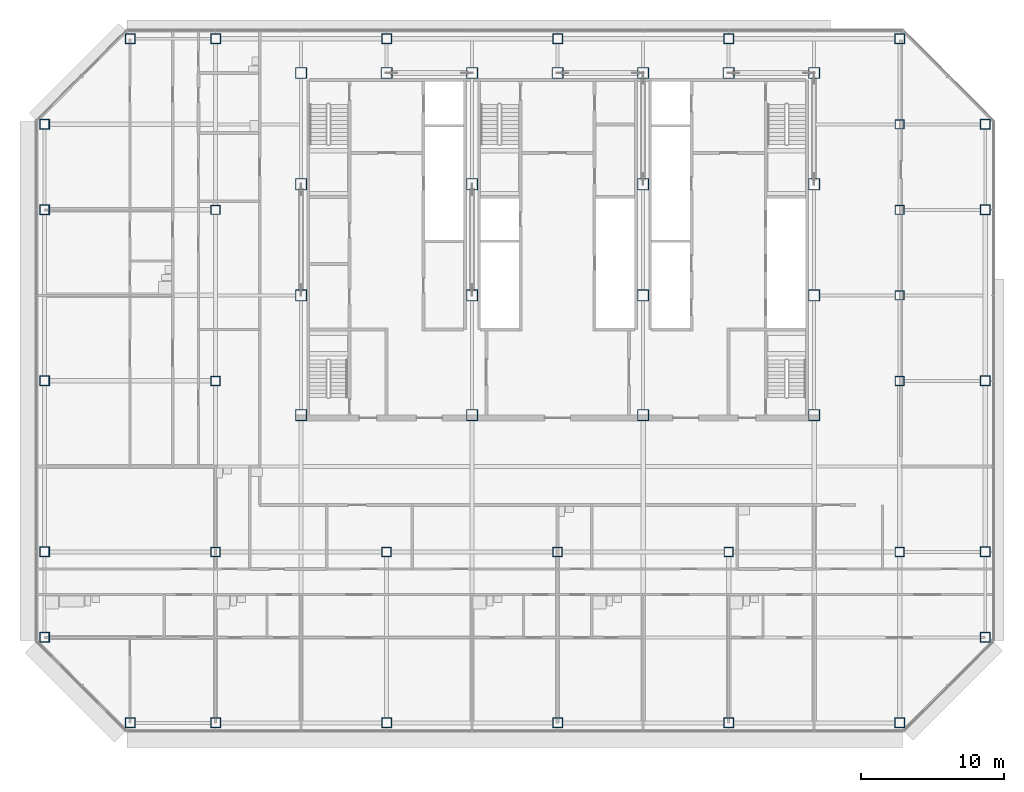
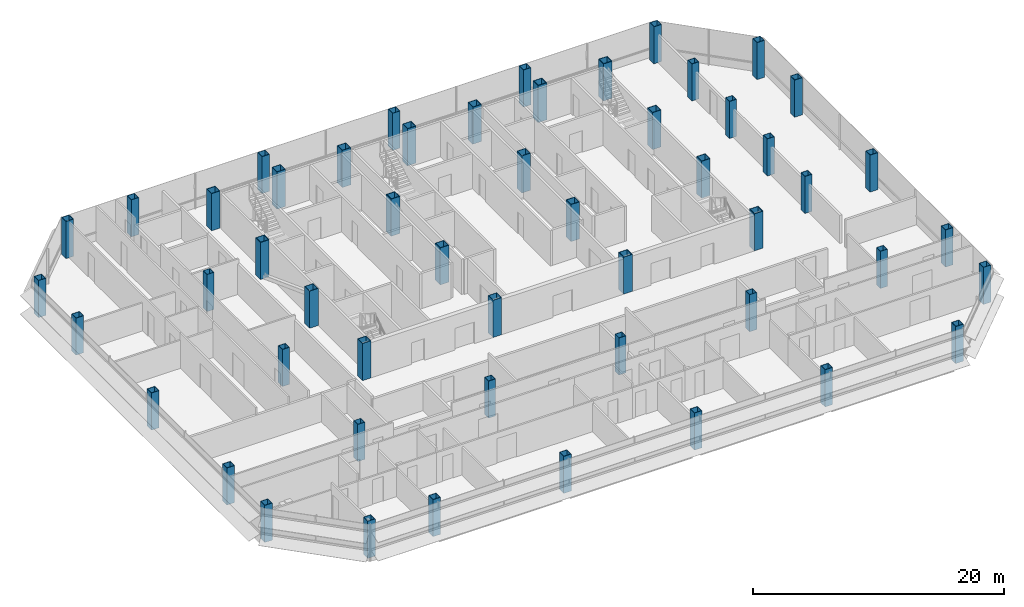
# One storey, part 1 of 27: 52 columns.
"""IFC4 building model written with IfcOpenShell, lengths in metres."""

import ifcopenshell
import ifcopenshell.guid

model = None  # the IFC model being written
_history = None  # IfcOwnerHistory: only IFC2X3 demands one
_inside = {}  # id of a spatial element -> (the spatial element, [elements in it])
_under = {}  # id of a project, library or spatial element -> (it, [spatial elements below it])
_declared = {}  # id of a project -> (the project, [libraries it declares])
_typed = {}  # id of a type object -> (the type object, [elements of that type])
_made_of = {}  # id of a material, layer set ... -> (it, [elements and type objects made of it])


def new_model(schema):
    """Start an empty IFC model of exactly this schema.

    Asked for "IFC4X3", IfcOpenShell would pick the latest addendum, in which some entities
    have other attributes; the version numbers below select the first issue.
    IFC2X3 requires an IfcOwnerHistory on every rooted entity: one is made here for all.
    """
    global model, _history
    if schema == "IFC4X3":
        model = ifcopenshell.file(schema_version=(4, 3, 0, 0))
    else:
        model = ifcopenshell.file(schema=schema)
    _inside.clear()
    _under.clear()
    _declared.clear()
    _typed.clear()
    _made_of.clear()
    _history = None
    if model.schema == "IFC2X3":
        org = make("IfcOrganization", Name="unknown")
        user = make(
            "IfcPersonAndOrganization",
            ThePerson=make("IfcPerson", FamilyName="unknown"),
            TheOrganization=org,
        )
        app = make(
            "IfcApplication",
            ApplicationDeveloper=org,
            Version="unknown",
            ApplicationFullName="unknown",
            ApplicationIdentifier="unknown",
        )
        _history = make(
            "IfcOwnerHistory",
            OwningUser=user,
            OwningApplication=app,
            ChangeAction="ADDED",
            CreationDate=0,
        )
    return model


def make(cls, **values):
    """One entity of the class cls with the attributes given. An attribute that is None is left unset."""
    return model.create_entity(
        cls, **{name: value for name, value in values.items() if value is not None}
    )


def rooted(cls, **values):
    """An entity with a GlobalId (a new one), such as an element, a storey or a relation."""
    return make(cls, GlobalId=ifcopenshell.guid.new(), OwnerHistory=_history, **values)


def si_unit(unit_type, name, prefix=None):
    """IfcSIUnit, for example si_unit("LENGTHUNIT", "METRE", prefix="MILLI")."""
    return make("IfcSIUnit", UnitType=unit_type, Prefix=prefix, Name=name)


def assignment(units):
    """IfcUnitAssignment: the units of a project."""
    return None if units is None else make("IfcUnitAssignment", Units=units)


def point(xyz):
    """IfcCartesianPoint."""
    return None if xyz is None else make("IfcCartesianPoint", Coordinates=xyz)


def direction(xyz):
    """IfcDirection."""
    return None if xyz is None else make("IfcDirection", DirectionRatios=xyz)


def frame(location, z_axis=None, x_axis=None):
    """IfcAxis2Placement3D, a coordinate frame: its origin and axes. An axis left out is left unset."""
    return make(
        "IfcAxis2Placement3D",
        Location=point(location),
        Axis=direction(z_axis),
        RefDirection=direction(x_axis),
    )


def frame_2d(location, x_axis=None):
    """IfcAxis2Placement2D, a coordinate frame in the plane: its origin and x axis."""
    return make(
        "IfcAxis2Placement2D", Location=point(location), RefDirection=direction(x_axis)
    )


def origin():
    """The frame at (0, 0, 0) with its axes left unset."""
    return frame((0.0, 0.0, 0.0))


def origin_2d():
    """The frame at (0, 0) in the plane with its x axis left unset."""
    return frame_2d((0.0, 0.0))


def place(relative_to, where):
    """IfcLocalPlacement: puts the frame where relative to a parent placement (None: the world)."""
    return make(
        "IfcLocalPlacement", PlacementRelTo=relative_to, RelativePlacement=where
    )


def context(
    kind, dimensions, precision=None, world=None, true_north=None, identifier=None
):
    """IfcGeometricRepresentationContext, for example the 3D "Model" context."""
    return make(
        "IfcGeometricRepresentationContext",
        ContextIdentifier=identifier,
        ContextType=kind,
        CoordinateSpaceDimension=dimensions,
        Precision=precision,
        WorldCoordinateSystem=world,
        TrueNorth=true_north,
    )


def subcontext(parent, identifier, kind, view, scale=None):
    """IfcGeometricRepresentationSubContext, for example "Body" below "Model"."""
    return make(
        "IfcGeometricRepresentationSubContext",
        ContextIdentifier=identifier,
        ContextType=kind,
        ParentContext=parent,
        TargetScale=scale,
        TargetView=view,
    )


def project(units=None, contexts=None):
    """IfcProject with its units and contexts."""
    return rooted(
        "IfcProject",
        Name="project",
        RepresentationContexts=contexts,
        UnitsInContext=assignment(units),
    )


def spatial(cls, under=None, at=None, **own):
    """A site, building, storey or space (cls), placed at a placement, below another one or the project."""
    s = rooted(cls, ObjectPlacement=at, **own)
    if under is not None:
        _under.setdefault(under.id(), (under, []))[1].append(s)
    return s


def profile(cls, at=None, kind="AREA", **sizes):
    """A parametric profile (cls). Its sizes go by their IFC names, for example OverallWidth=200.0."""
    return make(cls, ProfileType=kind, Position=at, **sizes)


def hollow_rectangle(**sizes):
    """IfcRectangleHollowProfileDef."""
    return profile("IfcRectangleHollowProfileDef", **sizes)


def extrude(swept, where, along, depth):
    """IfcExtrudedAreaSolid: the profile swept, set in the frame where, extruded along a direction by depth."""
    return make(
        "IfcExtrudedAreaSolid",
        SweptArea=swept,
        Position=where,
        ExtrudedDirection=direction(along),
        Depth=depth,
    )


def shape(context_of_items, identifier, shape_type, items):
    """IfcShapeRepresentation: the items that make up one representation, for example the "Body"."""
    return make(
        "IfcShapeRepresentation",
        ContextOfItems=context_of_items,
        RepresentationIdentifier=identifier,
        RepresentationType=shape_type,
        Items=items,
    )


def material(Name=None, Category=None):
    """IfcMaterial."""
    return make("IfcMaterial", Name=Name, Category=Category)


def material_profile(
    of_material, cross_section, Name=None, Category=None, Priority=None
):
    """IfcMaterialProfile: a cross section and its material."""
    return make(
        "IfcMaterialProfile",
        Name=Name,
        Material=of_material,
        Profile=cross_section,
        Priority=Priority,
        Category=Category,
    )


def profile_set(profiles, Name=None, composite=None):
    """IfcMaterialProfileSet."""
    return make(
        "IfcMaterialProfileSet",
        Name=Name,
        MaterialProfiles=profiles,
        CompositeProfile=composite,
    )


def made_of(thing, what):
    """Note that an element or type object is made of a material, layer set ...; save() writes the relation."""
    if what is not None:
        _made_of.setdefault(what.id(), (what, []))[1].append(thing)
    return thing


def type_object(cls, material=None, **own):
    """A type object (cls), such as IfcWallType, which elements share."""
    return made_of(rooted(cls, **own), material)


def element(
    cls,
    number,
    at=None,
    inside=None,
    cuts=None,
    type_object=None,
    material=None,
    context=None,
    identifier="Body",
    shape_type=None,
    held_by="IfcProductDefinitionShape",
    body=None,
    shapes=None,
    **own,
):
    """One element of the class cls, such as IfcWall. Its Tag is "e" and its number.

    at: its placement. inside: the storey or other place that contains it. cuts: it is an
    opening in that element (IfcRelVoidsElement). A single representation is given by context,
    identifier, shape_type and body (its items); several are given by shapes. held_by: the class
    of the entity that holds the representations. save() writes the other relations.
    """
    e = rooted(cls, Tag="e%d" % number, ObjectPlacement=at, **own)
    if body is not None:
        shapes = [shape(context, identifier, shape_type, body)]
    if shapes is not None:
        e.Representation = make(held_by, Representations=shapes)
    if inside is not None:
        _inside.setdefault(inside.id(), (inside, []))[1].append(e)
    if cuts is not None:
        rooted(
            "IfcRelVoidsElement", RelatingBuildingElement=cuts, RelatedOpeningElement=e
        )
    if type_object is not None:
        _typed.setdefault(type_object.id(), (type_object, []))[1].append(e)
    return made_of(e, material)


def aggregate(whole, parts):
    """IfcRelAggregates: a whole, such as a stair, and the parts it consists of."""
    return rooted("IfcRelAggregates", RelatingObject=whole, RelatedObjects=parts)


def save(model, path):
    """Write the relations noted so far, then the file.

    IfcRelAggregates (storeys below a building ...), IfcRelContainedInSpatialStructure (elements
    in a storey), IfcRelDefinesByType, IfcRelAssociatesMaterial and IfcRelDeclares: one each for
    every whole, place, type object, material and project.
    """
    for whole, parts in _under.values():
        aggregate(whole, parts)
    for where, things in _inside.values():
        rooted(
            "IfcRelContainedInSpatialStructure",
            RelatedElements=things,
            RelatingStructure=where,
        )
    for kind, things in _typed.values():
        rooted("IfcRelDefinesByType", RelatedObjects=things, RelatingType=kind)
    for what, things in _made_of.values():
        rooted("IfcRelAssociatesMaterial", RelatedObjects=things, RelatingMaterial=what)
    for by, libraries in _declared.values():
        rooted("IfcRelDeclares", RelatingContext=by, RelatedDefinitions=libraries)
    model.write(path)


model = new_model("IFC4")

# Units and contexts
model_context = context("Model", 3, precision=1e-05, world=origin(), true_north=direction((0.0, 1.0)))
body_context = subcontext(model_context, "Body", "Model", "MODEL_VIEW")
ifc_project = project(units=[si_unit("LENGTHUNIT", "METRE"), si_unit("AREAUNIT", "SQUARE_METRE"), si_unit("VOLUMEUNIT", "CUBIC_METRE"), si_unit("PLANEANGLEUNIT", "RADIAN"), si_unit("MASSUNIT", "GRAM", prefix="KILO")], contexts=[model_context])

# Site, building, storey
site_placement = place(None, origin())
site = spatial("IfcSite", under=ifc_project, at=site_placement, CompositionType="ELEMENT")
building_placement = place(site_placement, origin())
building = spatial("IfcBuilding", under=site, at=building_placement, Name="Sorahane Residences", CompositionType="ELEMENT")
storey_placement = place(building_placement, frame((0.0, 0.0, 195.60009765625)))
storey = spatial("IfcBuildingStorey", under=building, at=storey_placement, Name="L45", CompositionType="ELEMENT", Elevation=195.60009765625)

# Columns
ifc_material_1 = material(Name="Steel Q355B", Category="steel")
ifc_material_profile_1 = material_profile(ifc_material_1, hollow_rectangle(XDim=0.64990234375, YDim=0.64990234375, WallThickness=0.031982421875, at=origin_2d()), Name="BOX 650x650x32")
ifc_profile_set_1 = profile_set([ifc_material_profile_1], Name="Steel Q355B")
column_type_1 = type_object("IfcColumnType", Name="Steel box column BOX 650x650x32 Q355B", PredefinedType="COLUMN", material=ifc_profile_set_1)
for number, where, z_axis, x_axis, name in (
    (1, (0.0, 12.0, 0.0), (0.0, 0.0, 1.0), (1.0, 0.0, 0.0), "Column L45 0/12"),
    (2, (0.0, 24.0, 0.0), (0.0, 0.0, 1.0), (1.0, 0.0, 0.0), "Column L45 0/24"),
    (3, (0.0, 36.0, 0.0), (0.0, 0.0, 1.0), (1.0, 0.0, 0.0), "Column L45 0/36"),
    (4, (12.0, 12.0, 0.0), (0.0, 0.0, 1.0), (1.0, 0.0, 0.0), "Column L45 12/12"),
    (5, (24.0, 12.0, 0.0), (0.0, 0.0, 1.0), (1.0, 0.0, 0.0), "Column L45 24/12"),
    (6, (36.0, 12.0, 0.0), (0.0, 0.0, 1.0), (1.0, 0.0, 0.0), "Column L45 36/12"),
    (7, (48.0, 12.0, 0.0), (0.0, 0.0, 1.0), (1.0, 0.0, 0.0), "Column L45 48/12"),
    (8, (48.0, 24.0, 0.0), (0.0, 0.0, 1.0), (1.0, 0.0, 0.0), "Column L45 48/24"),
    (9, (48.0, 30.0, 0.0), (0.0, 0.0, 1.0), (1.0, 0.0, 0.0), "Column L45 48/30"),
    (10, (48.0, 36.0, 0.0), (0.0, 0.0, 1.0), (1.0, 0.0, 0.0), "Column L45 48/36"),
    (11, (48.0, 42.0, 0.0), (0.0, 0.0, 1.0), (1.0, 0.0, 0.0), "Column L45 48/42"),
):
    element("IfcColumn", number, at=place(storey_placement, frame(where, z_axis=z_axis, x_axis=x_axis)), inside=storey, type_object=column_type_1, Name=name, PredefinedType="COLUMN", context=body_context, shape_type="SweptSolid", body=[
        extrude(hollow_rectangle(XDim=0.64990234375, YDim=0.64990234375, WallThickness=0.031982421875, at=origin_2d()), origin(), (0.0, 0.0, 1.0), 3.599853515625),
    ])
ifc_material_2 = material(Name="Steel Q355B", Category="steel")
ifc_material_profile_2 = material_profile(ifc_material_2, hollow_rectangle(XDim=0.699951171875, YDim=0.699951171875, WallThickness=0.035888671875, at=origin_2d()), Name="BOX 700x700x36")
ifc_profile_set_2 = profile_set([ifc_material_profile_2], Name="Steel Q355B")
column_type_2 = type_object("IfcColumnType", Name="Steel box column BOX 700x700x36 Q355B", PredefinedType="COLUMN", material=ifc_profile_set_2)
for number, where, z_axis, x_axis, name in (
    (12, (-12.0, 6.0, 0.0), (0.0, 0.0, 1.0), (1.0, 0.0, 0.0), "Column L45 m12/6"),
    (13, (-12.0, 12.0, 0.0), (0.0, 0.0, 1.0), (1.0, 0.0, 0.0), "Column L45 m12/12"),
    (14, (-12.0, 24.0, 0.0), (0.0, 0.0, 1.0), (1.0, 0.0, 0.0), "Column L45 m12/24"),
    (15, (-12.0, 36.0, 0.0), (0.0, 0.0, 1.0), (1.0, 0.0, 0.0), "Column L45 m12/36"),
    (16, (-12.0, 42.0, 0.0), (0.0, 0.0, 1.0), (1.0, 0.0, 0.0), "Column L45 m12/42"),
    (17, (-6.0, 0.0, 0.0), (0.0, 0.0, 1.0), (1.0, 0.0, 0.0), "Column L45 m6/0"),
    (18, (-6.0, 48.0, 0.0), (0.0, 0.0, 1.0), (1.0, 0.0, 0.0), "Column L45 m6/48"),
    (19, (0.0, 0.0, 0.0), (0.0, 0.0, 1.0), (1.0, 0.0, 0.0), "Column L45 0/0"),
    (20, (0.0, 48.0, 0.0), (0.0, 0.0, 1.0), (1.0, 0.0, 0.0), "Column L45 0/48"),
    (21, (12.0, 0.0, 0.0), (0.0, 0.0, 1.0), (1.0, 0.0, 0.0), "Column L45 12/0"),
    (22, (12.0, 48.0, 0.0), (0.0, 0.0, 1.0), (1.0, 0.0, 0.0), "Column L45 12/48"),
    (23, (24.0, 0.0, 0.0), (0.0, 0.0, 1.0), (1.0, 0.0, 0.0), "Column L45 24/0"),
    (24, (24.0, 48.0, 0.0), (0.0, 0.0, 1.0), (1.0, 0.0, 0.0), "Column L45 24/48"),
    (25, (36.0, 0.0, 0.0), (0.0, 0.0, 1.0), (1.0, 0.0, 0.0), "Column L45 36/0"),
    (26, (36.0, 48.0, 0.0), (0.0, 0.0, 1.0), (1.0, 0.0, 0.0), "Column L45 36/48"),
    (27, (48.0, 0.0, 0.0), (0.0, 0.0, 1.0), (1.0, 0.0, 0.0), "Column L45 48/0"),
    (28, (48.0, 48.0, 0.0), (0.0, 0.0, 1.0), (1.0, 0.0, 0.0), "Column L45 48/48"),
    (29, (54.0, 6.0, 0.0), (0.0, 0.0, 1.0), (1.0, 0.0, 0.0), "Column L45 54/6"),
    (30, (54.0, 12.0, 0.0), (0.0, 0.0, 1.0), (1.0, 0.0, 0.0), "Column L45 54/12"),
    (31, (54.0, 24.0, 0.0), (0.0, 0.0, 1.0), (1.0, 0.0, 0.0), "Column L45 54/24"),
    (32, (54.0, 36.0, 0.0), (0.0, 0.0, 1.0), (1.0, 0.0, 0.0), "Column L45 54/36"),
    (33, (54.0, 42.0, 0.0), (0.0, 0.0, 1.0), (1.0, 0.0, 0.0), "Column L45 54/42"),
):
    element("IfcColumn", number, at=place(storey_placement, frame(where, z_axis=z_axis, x_axis=x_axis)), inside=storey, type_object=column_type_2, Name=name, PredefinedType="COLUMN", context=body_context, shape_type="SweptSolid", body=[
        extrude(hollow_rectangle(XDim=0.699951171875, YDim=0.699951171875, WallThickness=0.035888671875, at=origin_2d()), origin(), (0.0, 0.0, 1.0), 3.599853515625),
    ])
ifc_material_3 = material(Name="Steel Q420GJ", Category="steel")
ifc_material_profile_3 = material_profile(ifc_material_3, hollow_rectangle(XDim=0.800048828125, YDim=0.800048828125, WallThickness=0.044921875, at=origin_2d()), Name="BOX 800x800x45")
ifc_profile_set_3 = profile_set([ifc_material_profile_3], Name="Steel Q420GJ")
column_type_3 = type_object("IfcColumnType", Name="Steel box column BOX 800x800x45 Q420GJ", PredefinedType="COLUMN", material=ifc_profile_set_3)
for number, where, z_axis, x_axis, name in (
    (34, (6.0, 21.60009765625, 0.0), (0.0, 0.0, 1.0), (1.0, 0.0, 0.0), "Column L45 6/21.6"),
    (35, (6.0, 30.0, 0.0), (0.0, 0.0, 1.0), (1.0, 0.0, 0.0), "Column L45 6/30"),
    (36, (6.0, 37.800048828125, 0.0), (0.0, 0.0, 1.0), (1.0, 0.0, 0.0), "Column L45 6/37.8"),
    (37, (6.0, 45.60009765625, 0.0), (0.0, 0.0, 1.0), (1.0, 0.0, 0.0), "Column L45 6/45.6"),
    (38, (12.0, 45.60009765625, 0.0), (0.0, 0.0, 1.0), (1.0, 0.0, 0.0), "Column L45 12/45.6"),
    (39, (18.0, 21.60009765625, 0.0), (0.0, 0.0, 1.0), (1.0, 0.0, 0.0), "Column L45 18/21.6"),
    (40, (18.0, 30.0, 0.0), (0.0, 0.0, 1.0), (1.0, 0.0, 0.0), "Column L45 18/30"),
    (41, (18.0, 37.800048828125, 0.0), (0.0, 0.0, 1.0), (1.0, 0.0, 0.0), "Column L45 18/37.8"),
    (42, (18.0, 45.60009765625, 0.0), (0.0, 0.0, 1.0), (1.0, 0.0, 0.0), "Column L45 18/45.6"),
    (43, (24.0, 45.60009765625, 0.0), (0.0, 0.0, 1.0), (1.0, 0.0, 0.0), "Column L45 24/45.6"),
    (44, (30.0, 21.60009765625, 0.0), (0.0, 0.0, 1.0), (1.0, 0.0, 0.0), "Column L45 30/21.6"),
    (45, (30.0, 30.0, 0.0), (0.0, 0.0, 1.0), (1.0, 0.0, 0.0), "Column L45 30/30"),
    (46, (30.0, 37.800048828125, 0.0), (0.0, 0.0, 1.0), (1.0, 0.0, 0.0), "Column L45 30/37.8"),
    (47, (30.0, 45.60009765625, 0.0), (0.0, 0.0, 1.0), (1.0, 0.0, 0.0), "Column L45 30/45.6"),
    (48, (36.0, 45.60009765625, 0.0), (0.0, 0.0, 1.0), (1.0, 0.0, 0.0), "Column L45 36/45.6"),
    (49, (42.0, 21.60009765625, 0.0), (0.0, 0.0, 1.0), (1.0, 0.0, 0.0), "Column L45 42/21.6"),
    (50, (42.0, 30.0, 0.0), (0.0, 0.0, 1.0), (1.0, 0.0, 0.0), "Column L45 42/30"),
    (51, (42.0, 37.800048828125, 0.0), (0.0, 0.0, 1.0), (1.0, 0.0, 0.0), "Column L45 42/37.8"),
    (52, (42.0, 45.60009765625, 0.0), (0.0, 0.0, 1.0), (1.0, 0.0, 0.0), "Column L45 42/45.6"),
):
    element("IfcColumn", number, at=place(storey_placement, frame(where, z_axis=z_axis, x_axis=x_axis)), inside=storey, type_object=column_type_3, Name=name, PredefinedType="COLUMN", context=body_context, shape_type="SweptSolid", body=[
        extrude(hollow_rectangle(XDim=0.800048828125, YDim=0.800048828125, WallThickness=0.044921875, at=origin_2d()), origin(), (0.0, 0.0, 1.0), 3.599853515625),
    ])

save(model, "model.ifc")
